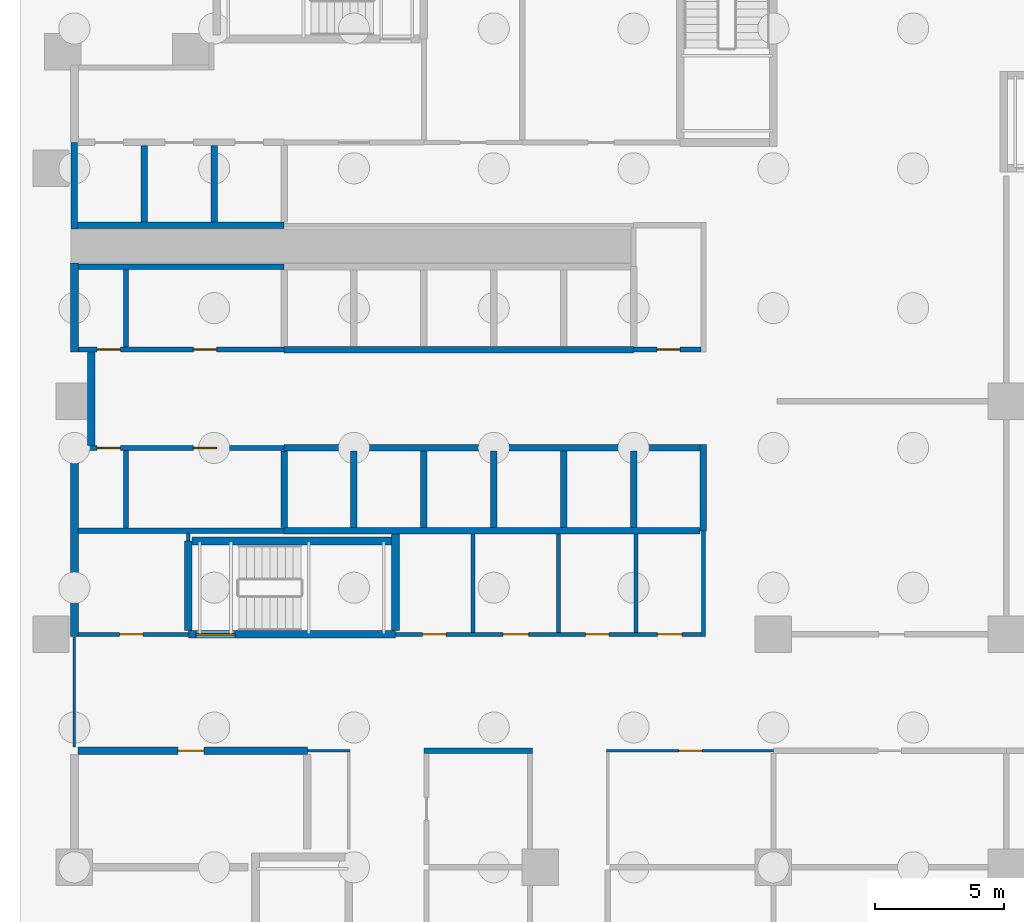
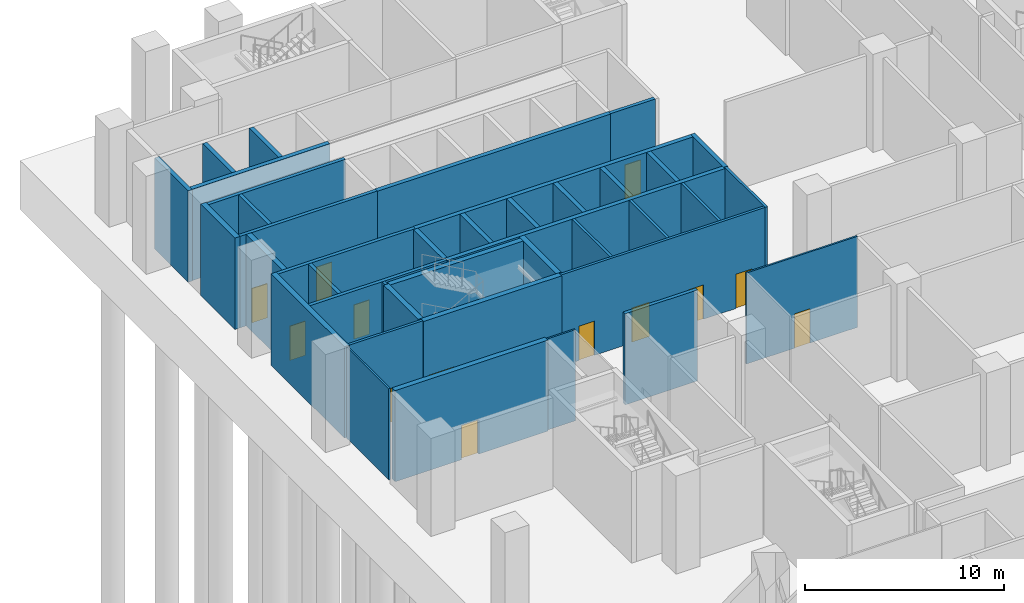
# One storey, part 4 of 12: 40 walls, 13 doors, 13 openings.
"""IFC4 building model written with IfcOpenShell, lengths in metres."""

from ifc_helpers import new_model, si_unit, direction, frame, frame_2d, origin, place, context, subcontext, project, spatial, rectangle, extrude, material, layer, layer_set, type_object, element, fill, save


model = new_model("IFC4")

# Units and contexts
model_context = context("Model", 3, precision=1e-05, world=origin(), true_north=direction((0.0, 1.0)))
body_context = subcontext(model_context, "Body", "Model", "MODEL_VIEW")
ifc_project = project(units=[si_unit("LENGTHUNIT", "METRE"), si_unit("AREAUNIT", "SQUARE_METRE"), si_unit("VOLUMEUNIT", "CUBIC_METRE"), si_unit("PLANEANGLEUNIT", "RADIAN"), si_unit("MASSUNIT", "GRAM", prefix="KILO")], contexts=[model_context])

# Site, building, storey
site_placement = place(None, origin())
site = spatial("IfcSite", under=ifc_project, at=site_placement, CompositionType="ELEMENT")
building_placement = place(site_placement, origin())
building = spatial("IfcBuilding", under=site, at=building_placement, Name="Brondeck Convention Tower", CompositionType="ELEMENT")
storey_placement = place(building_placement, frame((0.0, 0.0, -6.0)))
storey = spatial("IfcBuildingStorey", under=building, at=storey_placement, Name="B1", CompositionType="ELEMENT", Elevation=-6.0)

# Wall, opening, door
ifc_material_1 = material(Name="Concrete compartment wall C30/37", Category="concrete")
ifc_layer_1 = layer(ifc_material_1, 0.300048828125)
ifc_layer_set_1 = layer_set([ifc_layer_1], Name="Compartment wall 300")
wall_type_1 = type_object("IfcWallType", Name="Compartment wall 300", PredefinedType="PARTITIONING", material=ifc_layer_set_1)
wall_1_placement = place(storey_placement, frame((9.0, 31.5, 0.0), z_axis=(0.0, 0.0, 1.0), x_axis=(-1.0, 0.0, 0.0)))
wall_1 = element("IfcWall", 1, at=wall_1_placement, inside=storey, type_object=wall_type_1, Name="FLR-B1-W059", PredefinedType="PARTITIONING", context=body_context, shape_type="SweptSolid", body=[
    extrude(rectangle(XDim=8.85009765625, YDim=0.300048828125, at=frame_2d((4.425048828125, 0.0))), origin(), (0.0, 0.0, 1.0), 5.580078125),
])
opening_1_placement = place(wall_1_placement, frame((4.0, 0.0, 0.0)))
opening_1 = element("IfcOpeningElement", 2, at=opening_1_placement, cuts=wall_1, Name="Opening P-B1-013", PredefinedType="OPENING", context=body_context, shape_type="SweptSolid", body=[
    extrude(rectangle(XDim=1.0, YDim=2.10009765625, at=frame_2d((0.5, 1.050048828125))), frame((0.0, 0.159912109375, 0.0), z_axis=(0.0, -1.0, 0.0), x_axis=(1.0, 0.0, 0.0)), (0.0, 0.0, 1.0), 0.320068359375),
])
ifc_material_2 = material(Name="Steel fire door leaf", Category="steel")
door_type_1 = type_object("IfcDoorType", Name="Plant room door 1000", OperationType="NOTDEFINED", PredefinedType="DOOR", material=ifc_material_2)
door_1_placement = place(opening_1_placement, origin())
door_1 = element("IfcDoor", 3, at=door_1_placement, inside=storey, type_object=door_type_1, Name="Door P-B1-013", OperationType="SINGLE_SWING_RIGHT", OverallHeight=2.10009765625, OverallWidth=1.0, PredefinedType="DOOR", context=body_context, shape_type="SweptSolid", body=[
    extrude(rectangle(XDim=1.0, YDim=2.10009765625, at=frame_2d((0.5, 1.050048828125))), frame((0.0, 0.02490234375, 0.0), z_axis=(0.0, -1.0, 0.0), x_axis=(1.0, 0.0, 0.0)), (0.0, 0.0, 1.0), 0.050048828125),
])
fill(opening_1, door_1)

# Wall, openings, doors
ifc_material_3 = material(Name="Concrete C80/95", Category="concrete")
ifc_layer_2 = layer(ifc_material_3, 0.14990234375)
ifc_layer_set_2 = layer_set([ifc_layer_2], Name="Core beam-seat wall 150 Concrete C80/95")
wall_type_2 = type_object("IfcWallType", Name="Core beam-seat wall 150 Concrete C80/95", PredefinedType="SHEAR", material=ifc_layer_set_2)
wall_2_placement = place(storey_placement, frame((12.39990234375, 36.0, 0.0), z_axis=(0.0, 0.0, 1.0), x_axis=(1.0, 0.0, 0.0)))
wall_2 = element("IfcWall", 4, at=wall_2_placement, inside=storey, type_object=wall_type_2, Name="B1 core wall", PredefinedType="SHEAR", context=body_context, shape_type="SweptSolid", body=[
    extrude(rectangle(XDim=11.8251953125, YDim=0.14990234375, at=frame_2d((5.91259765625, 0.0))), origin(), (0.0, 0.0, 1.0), 5.60009765625),
])
opening_2_placement = place(wall_2_placement, frame((1.050048828125, 0.0, 0.0)))
opening_2 = element("IfcOpeningElement", 5, at=opening_2_placement, cuts=wall_2, Name="Opening C01-03", PredefinedType="OPENING", context=body_context, shape_type="SweptSolid", body=[
    extrude(rectangle(XDim=0.89990234375, YDim=2.10009765625, at=frame_2d((0.449951171875, 1.050048828125))), frame((0.0, 0.0849609375, 0.0), z_axis=(0.0, -1.0, 0.0), x_axis=(1.0, 0.0, 0.0)), (0.0, 0.0, 1.0), 0.169921875),
])
opening_3_placement = place(wall_2_placement, frame((4.14990234375, 0.0, 0.0)))
opening_3 = element("IfcOpeningElement", 6, at=opening_3_placement, cuts=wall_2, Name="Opening C01-04", PredefinedType="OPENING", context=body_context, shape_type="SweptSolid", body=[
    extrude(rectangle(XDim=1.0, YDim=2.10009765625, at=frame_2d((0.5, 1.050048828125))), frame((0.0, 0.0849609375, 0.0), z_axis=(0.0, -1.0, 0.0), x_axis=(1.0, 0.0, 0.0)), (0.0, 0.0, 1.0), 0.169921875),
])
opening_4_placement = place(wall_2_placement, frame((7.35009765625, 0.0, 0.0)))
opening_4 = element("IfcOpeningElement", 7, at=opening_4_placement, cuts=wall_2, Name="Opening C01-05", PredefinedType="OPENING", context=body_context, shape_type="SweptSolid", body=[
    extrude(rectangle(XDim=0.89990234375, YDim=2.10009765625, at=frame_2d((0.449951171875, 1.050048828125))), frame((0.0, 0.0849609375, 0.0), z_axis=(0.0, -1.0, 0.0), x_axis=(1.0, 0.0, 0.0)), (0.0, 0.0, 1.0), 0.169921875),
])
opening_5_placement = place(wall_2_placement, frame((10.125, 0.0, 0.0)))
opening_5 = element("IfcOpeningElement", 8, at=opening_5_placement, cuts=wall_2, Name="Opening C01-06", PredefinedType="OPENING", context=body_context, shape_type="SweptSolid", body=[
    extrude(rectangle(XDim=0.949951171875, YDim=2.10009765625, at=frame_2d((0.47509765625, 1.050048828125))), frame((0.0, 0.0849609375, 0.0), z_axis=(0.0, -1.0, 0.0), x_axis=(1.0, 0.0, 0.0)), (0.0, 0.0, 1.0), 0.169921875),
])
ifc_material_4 = material(Name="Steel fire door", Category="steel")
door_type_2 = type_object("IfcDoorType", Name="Room door 1000x2100 EI 60", OperationType="NOTDEFINED", PredefinedType="DOOR", material=ifc_material_4)
door_2_placement = place(opening_3_placement, origin())
door_2 = element("IfcDoor", 9, at=door_2_placement, inside=storey, type_object=door_type_2, Name="B1 Room door FR-2", OperationType="SINGLE_SWING_LEFT", OverallHeight=2.10009765625, OverallWidth=1.0, PredefinedType="DOOR", context=body_context, shape_type="SweptSolid", body=[
    extrude(rectangle(XDim=1.0, YDim=2.10009765625, at=frame_2d((0.5, 1.050048828125))), frame((0.0, 0.02490234375, 0.0), z_axis=(0.0, -1.0, 0.0), x_axis=(1.0, 0.0, 0.0)), (0.0, 0.0, 1.0), 0.050048828125),
])
fill(opening_3, door_2)
door_type_3 = type_object("IfcDoorType", Name="Room door 900x2100 EI 60", OperationType="NOTDEFINED", PredefinedType="DOOR", material=ifc_material_4)
door_3_placement = place(opening_2_placement, origin())
door_3 = element("IfcDoor", 10, at=door_3_placement, inside=storey, type_object=door_type_3, Name="B1 Room door FR-1", OperationType="SINGLE_SWING_RIGHT", OverallHeight=2.10009765625, OverallWidth=0.89990234375, PredefinedType="DOOR", context=body_context, shape_type="SweptSolid", body=[
    extrude(rectangle(XDim=0.89990234375, YDim=2.10009765625, at=frame_2d((0.449951171875, 1.050048828125))), frame((0.0, 0.02490234375, 0.0), z_axis=(0.0, -1.0, 0.0), x_axis=(1.0, 0.0, 0.0)), (0.0, 0.0, 1.0), 0.050048828125),
])
fill(opening_2, door_3)
door_4_placement = place(opening_4_placement, origin())
door_4 = element("IfcDoor", 11, at=door_4_placement, inside=storey, type_object=door_type_3, Name="B1 Room door FR-3", OperationType="SINGLE_SWING_RIGHT", OverallHeight=2.10009765625, OverallWidth=0.89990234375, PredefinedType="DOOR", context=body_context, shape_type="SweptSolid", body=[
    extrude(rectangle(XDim=0.89990234375, YDim=2.10009765625, at=frame_2d((0.449951171875, 1.050048828125))), frame((0.0, 0.02490234375, 0.0), z_axis=(0.0, -1.0, 0.0), x_axis=(1.0, 0.0, 0.0)), (0.0, 0.0, 1.0), 0.050048828125),
])
fill(opening_4, door_4)
door_type_4 = type_object("IfcDoorType", Name="Room door 950x2100 EI 60", OperationType="NOTDEFINED", PredefinedType="DOOR", material=ifc_material_4)
door_5_placement = place(opening_5_placement, origin())
door_5 = element("IfcDoor", 12, at=door_5_placement, inside=storey, type_object=door_type_4, Name="B1 Room door FR-4", OperationType="SINGLE_SWING_LEFT", OverallHeight=2.10009765625, OverallWidth=0.949951171875, PredefinedType="DOOR", context=body_context, shape_type="SweptSolid", body=[
    extrude(rectangle(XDim=0.949951171875, YDim=2.10009765625, at=frame_2d((0.47509765625, 1.050048828125))), frame((0.0, 0.02490234375, 0.0), z_axis=(0.0, -1.0, 0.0), x_axis=(1.0, 0.0, 0.0)), (0.0, 0.0, 1.0), 0.050048828125),
])
fill(opening_5, door_5)

# Walls
wall_3_placement = place(storey_placement, frame((24.300048828125, 35.925048828125, 0.0), z_axis=(0.0, 0.0, 1.0), x_axis=(0.0, 1.0, 0.0)))
element("IfcWall", 13, at=wall_3_placement, inside=storey, type_object=wall_type_2, Name="B1 core wall", PredefinedType="SHEAR", context=body_context, shape_type="SweptSolid", body=[
    extrude(rectangle(XDim=4.074951171875, YDim=0.14990234375, at=frame_2d((2.03759765625, 0.0))), origin(), (0.0, 0.0, 1.0), 5.60009765625),
])
ifc_layer_3 = layer(ifc_material_3, 0.300048828125)
ifc_layer_set_3 = layer_set([ifc_layer_3], Name="Core outer wall 300 Concrete C80/95")
wall_type_3 = type_object("IfcWallType", Name="Core outer wall 300 Concrete C80/95", PredefinedType="SHEAR", material=ifc_layer_set_3)
wall_4_placement = place(storey_placement, frame((0.0, 35.925048828125, 0.0), z_axis=(0.0, 0.0, 1.0), x_axis=(0.0, 1.0, 0.0)))
element("IfcWall", 14, at=wall_4_placement, inside=storey, type_object=wall_type_3, Name="B1 core wall", PredefinedType="SHEAR", context=body_context, shape_type="SweptSolid", body=[
    extrude(rectangle(XDim=7.375, YDim=0.300048828125, at=frame_2d((3.6875, 0.0))), origin(), (0.0, 0.0, 1.0), 5.60009765625),
])
wall_5_placement = place(storey_placement, frame((0.0, 46.89990234375, 0.0), z_axis=(0.0, 0.0, 1.0), x_axis=(0.0, 1.0, 0.0)))
element("IfcWall", 15, at=wall_5_placement, inside=storey, type_object=wall_type_3, Name="B1 core wall", PredefinedType="SHEAR", context=body_context, shape_type="SweptSolid", body=[
    extrude(rectangle(XDim=3.4501953125, YDim=0.300048828125, at=frame_2d((1.72509765625, 0.0))), origin(), (0.0, 0.0, 1.0), 5.60009765625),
])
wall_6_placement = place(storey_placement, frame((0.64990234375, 43.300048828125, 0.0), z_axis=(0.0, 0.0, 1.0), x_axis=(0.0, 1.0, 0.0)))
element("IfcWall", 16, at=wall_6_placement, inside=storey, type_object=wall_type_3, Name="B1 core wall", PredefinedType="SHEAR", context=body_context, shape_type="SweptSolid", body=[
    extrude(rectangle(XDim=3.599853515625, YDim=0.300048828125, at=frame_2d((1.7998046875, 0.0))), origin(), (0.0, 0.0, 1.0), 5.60009765625),
])

# Wall, opening, door
ifc_material_5 = material(Name="Fire-rated gypsum board partition")
ifc_layer_4 = layer(ifc_material_5, 0.14990234375)
ifc_layer_set_4 = layer_set([ifc_layer_4], Name="Core partition 150 EI 60")
wall_type_4 = type_object("IfcWallType", Name="Core partition 150 EI 60", PredefinedType="PARTITIONING", material=ifc_layer_set_4)
wall_7_placement = place(storey_placement, frame((0.14990234375, 36.0, 0.0), z_axis=(0.0, 0.0, 1.0), x_axis=(1.0, 0.0, 0.0)))
wall_7 = element("IfcWall", 17, at=wall_7_placement, inside=storey, type_object=wall_type_4, Name="B1 core wall", PredefinedType="PARTITIONING", context=body_context, shape_type="SweptSolid", body=[
    extrude(rectangle(XDim=4.25, YDim=0.14990234375, at=frame_2d((2.125, 0.0))), origin(), (0.0, 0.0, 1.0), 5.60009765625),
])
opening_6_placement = place(wall_7_placement, frame((1.60009765625, 0.0, 0.0)))
opening_6 = element("IfcOpeningElement", 18, at=opening_6_placement, cuts=wall_7, Name="Opening C01-07", PredefinedType="OPENING", context=body_context, shape_type="SweptSolid", body=[
    extrude(rectangle(XDim=0.89990234375, YDim=2.10009765625, at=frame_2d((0.449951171875, 1.050048828125))), frame((0.0, 0.0849609375, 0.0), z_axis=(0.0, -1.0, 0.0), x_axis=(1.0, 0.0, 0.0)), (0.0, 0.0, 1.0), 0.169921875),
])
door_6_placement = place(opening_6_placement, origin())
door_6 = element("IfcDoor", 19, at=door_6_placement, inside=storey, type_object=door_type_3, Name="B1 Room door FRW-1", OperationType="SINGLE_SWING_LEFT", OverallHeight=2.10009765625, OverallWidth=0.89990234375, PredefinedType="DOOR", context=body_context, shape_type="SweptSolid", body=[
    extrude(rectangle(XDim=0.89990234375, YDim=2.10009765625, at=frame_2d((0.449951171875, 1.050048828125))), frame((0.0, 0.02490234375, 0.0), z_axis=(0.0, -1.0, 0.0), x_axis=(1.0, 0.0, 0.0)), (0.0, 0.0, 1.0), 0.050048828125),
])
fill(opening_6, door_6)

# Walls
wall_8_placement = place(storey_placement, frame((4.39990234375, 39.60009765625, 0.0), z_axis=(0.0, 0.0, 1.0), x_axis=(0.0, 1.0, 0.0)))
element("IfcWall", 20, at=wall_8_placement, inside=storey, type_object=wall_type_4, Name="B1 core wall", PredefinedType="PARTITIONING", context=body_context, shape_type="SweptSolid", body=[
    extrude(rectangle(XDim=0.2998046875, YDim=0.14990234375, at=frame_2d((0.14990234375, 0.0))), origin(), (0.0, 0.0, 1.0), 5.60009765625),
])
for number, where, z_axis, x_axis, name in (
    (21, (15.39990234375, 36.074951171875, 0.0), (0.0, 0.0, 1.0), (0.0, 1.0, 0.0), "B1 core wall"),
    (22, (18.699951171875, 36.074951171875, 0.0), (0.0, 0.0, 1.0), (0.0, 1.0, 0.0), "B1 core wall"),
    (23, (21.699951171875, 36.074951171875, 0.0), (0.0, 0.0, 1.0), (0.0, 1.0, 0.0), "B1 core wall"),
):
    element("IfcWall", number, at=place(storey_placement, frame(where, z_axis=z_axis, x_axis=x_axis)), inside=storey, type_object=wall_type_4, Name=name, PredefinedType="PARTITIONING", context=body_context, shape_type="SweptSolid", body=[
        extrude(rectangle(XDim=3.800048828125, YDim=0.14990234375, at=frame_2d((1.89990234375, 0.0))), origin(), (0.0, 0.0, 1.0), 5.60009765625),
    ])
ifc_layer_5 = layer(ifc_material_3, 0.25)
ifc_layer_set_5 = layer_set([ifc_layer_5], Name="Lift shaft wall 250 Concrete C80/95")
wall_type_5 = type_object("IfcWallType", Name="Lift shaft wall 250 Concrete C80/95", PredefinedType="SHEAR", material=ifc_layer_set_5)
for number, where, z_axis, x_axis, name in (
    (24, (8.10009765625, 40.0, 0.0), (0.0, 0.0, 1.0), (1.0, 0.0, 0.0), "B1 core wall"),
    (25, (8.10009765625, 43.199951171875, 0.0), (0.0, 0.0, 1.0), (1.0, 0.0, 0.0), "B1 core wall"),
):
    element("IfcWall", number, at=place(storey_placement, frame(where, z_axis=z_axis, x_axis=x_axis)), inside=storey, type_object=wall_type_5, Name=name, PredefinedType="SHEAR", context=body_context, shape_type="SweptSolid", body=[
        extrude(rectangle(XDim=16.074951171875, YDim=0.25, at=frame_2d((8.03759765625, 0.0))), origin(), (0.0, 0.0, 1.0), 5.60009765625),
    ])
wall_9_placement = place(storey_placement, frame((8.10009765625, 47.0, 0.0), z_axis=(0.0, 0.0, 1.0), x_axis=(1.0, 0.0, 0.0)))
element("IfcWall", 26, at=wall_9_placement, inside=storey, type_object=wall_type_5, Name="B1 core wall", PredefinedType="SHEAR", context=body_context, shape_type="SweptSolid", body=[
    extrude(rectangle(XDim=13.5, YDim=0.25, at=frame_2d((6.75, 0.0))), origin(), (0.0, 0.0, 1.0), 5.60009765625),
])
wall_10_placement = place(storey_placement, frame((0.125, 51.800048828125, 0.0), z_axis=(0.0, 0.0, 1.0), x_axis=(1.0, 0.0, 0.0)))
element("IfcWall", 27, at=wall_10_placement, inside=storey, type_object=wall_type_5, Name="B1 core wall", PredefinedType="SHEAR", context=body_context, shape_type="SweptSolid", body=[
    extrude(rectangle(XDim=7.97509765625, YDim=0.25, at=frame_2d((3.987548828125, 0.0))), origin(), (0.0, 0.0, 1.0), 5.60009765625),
])
wall_11_placement = place(storey_placement, frame((0.0, 51.64990234375, 0.0), z_axis=(0.0, 0.0, 1.0), x_axis=(0.0, 1.0, 0.0)))
element("IfcWall", 28, at=wall_11_placement, inside=storey, type_object=wall_type_5, Name="B1 core wall", PredefinedType="SHEAR", context=body_context, shape_type="SweptSolid", body=[
    extrude(rectangle(XDim=3.35009765625, YDim=0.25, at=frame_2d((1.675048828125, 0.0))), origin(), (0.0, 0.0, 1.0), 5.60009765625),
])
for number, where, z_axis, x_axis, name in (
    (29, (2.699951171875, 51.925048828125, 0.0), (0.0, 0.0, 1.0), (0.0, 1.0, 0.0), "B1 core wall"),
    (30, (5.39990234375, 51.925048828125, 0.0), (0.0, 0.0, 1.0), (0.0, 1.0, 0.0), "B1 core wall"),
    (31, (8.10009765625, 40.125, 0.0), (0.0, 0.0, 1.0), (0.0, 1.0, 0.0), "B1 core wall"),
    (32, (10.800048828125, 40.125, 0.0), (0.0, 0.0, 1.0), (0.0, 1.0, 0.0), "B1 core wall"),
    (33, (13.5, 40.125, 0.0), (0.0, 0.0, 1.0), (0.0, 1.0, 0.0), "B1 core wall"),
    (34, (16.199951171875, 40.125, 0.0), (0.0, 0.0, 1.0), (0.0, 1.0, 0.0), "B1 core wall"),
    (35, (18.89990234375, 40.125, 0.0), (0.0, 0.0, 1.0), (0.0, 1.0, 0.0), "B1 core wall"),
    (36, (21.60009765625, 40.125, 0.0), (0.0, 0.0, 1.0), (0.0, 1.0, 0.0), "B1 core wall"),
):
    element("IfcWall", number, at=place(storey_placement, frame(where, z_axis=z_axis, x_axis=x_axis)), inside=storey, type_object=wall_type_5, Name=name, PredefinedType="SHEAR", context=body_context, shape_type="SweptSolid", body=[
        extrude(rectangle(XDim=2.949951171875, YDim=0.25, at=frame_2d((1.47509765625, 0.0))), origin(), (0.0, 0.0, 1.0), 5.60009765625),
    ])
wall_12_placement = place(storey_placement, frame((24.300048828125, 40.0, 0.0), z_axis=(0.0, 0.0, 1.0), x_axis=(0.0, 1.0, 0.0)))
element("IfcWall", 37, at=wall_12_placement, inside=storey, type_object=wall_type_5, Name="B1 core wall", PredefinedType="SHEAR", context=body_context, shape_type="SweptSolid", body=[
    extrude(rectangle(XDim=3.324951171875, YDim=0.25, at=frame_2d((1.66259765625, 0.0))), origin(), (0.0, 0.0, 1.0), 5.60009765625),
])
ifc_material_6 = material(Name="Concrete block wall C16/20", Category="concrete")
ifc_layer_6 = layer(ifc_material_6, 0.199951171875)
ifc_layer_set_6 = layer_set([ifc_layer_6], Name="Plant room wall 200")
wall_type_6 = type_object("IfcWallType", Name="Plant room wall 200", PredefinedType="PARTITIONING", material=ifc_layer_set_6)
wall_13_placement = place(storey_placement, frame((17.699951171875, 31.5, 0.0), z_axis=(0.0, 0.0, 1.0), x_axis=(-1.0, 0.0, 0.0)))
element("IfcWall", 38, at=wall_13_placement, inside=storey, type_object=wall_type_6, Name="FLR-B1-W061", PredefinedType="PARTITIONING", context=body_context, shape_type="SweptSolid", body=[
    extrude(rectangle(XDim=4.199951171875, YDim=0.199951171875, at=frame_2d((2.10009765625, 0.0))), origin(), (0.0, 0.0, 1.0), 5.580078125),
])
ifc_layer_7 = layer(ifc_material_5, 0.199951171875)
ifc_layer_set_7 = layer_set([ifc_layer_7], Name="Plant room wall 200 EI 120")
wall_type_7 = type_object("IfcWallType", Name="Plant room wall 200 EI 120", PredefinedType="PARTITIONING", material=ifc_layer_set_7)
wall_14_placement = place(storey_placement, frame((0.14990234375, 40.0, 0.0), z_axis=(0.0, 0.0, 1.0), x_axis=(1.0, 0.0, 0.0)))
element("IfcWall", 39, at=wall_14_placement, inside=storey, type_object=wall_type_7, Name="B1 core wall", PredefinedType="PARTITIONING", context=body_context, shape_type="SweptSolid", body=[
    extrude(rectangle(XDim=7.9501953125, YDim=0.199951171875, at=frame_2d((3.97509765625, 0.0))), origin(), (0.0, 0.0, 1.0), 5.60009765625),
])

# Wall, openings, doors
wall_15_placement = place(storey_placement, frame((0.14990234375, 43.199951171875, 0.0), z_axis=(0.0, 0.0, 1.0), x_axis=(1.0, 0.0, 0.0)))
wall_15 = element("IfcWall", 40, at=wall_15_placement, inside=storey, type_object=wall_type_7, Name="B1 core wall", PredefinedType="PARTITIONING", context=body_context, shape_type="SweptSolid", body=[
    extrude(rectangle(XDim=7.9501953125, YDim=0.199951171875, at=frame_2d((3.97509765625, 0.0))), origin(), (0.0, 0.0, 1.0), 5.60009765625),
])
opening_7_placement = place(wall_15_placement, frame((0.72509765625, 0.0, 0.0)))
opening_7 = element("IfcOpeningElement", 41, at=opening_7_placement, cuts=wall_15, Name="Opening C01-10", PredefinedType="OPENING", context=body_context, shape_type="SweptSolid", body=[
    extrude(rectangle(XDim=0.89990234375, YDim=2.10009765625, at=frame_2d((0.449951171875, 1.050048828125))), frame((0.0, 0.10986328125, 0.0), z_axis=(0.0, -1.0, 0.0), x_axis=(1.0, 0.0, 0.0)), (0.0, 0.0, 1.0), 0.219970703125),
])
opening_8_placement = place(wall_15_placement, frame((4.449951171875, 0.0, 0.0)))
opening_8 = element("IfcOpeningElement", 42, at=opening_8_placement, cuts=wall_15, Name="Opening C01-11", PredefinedType="OPENING", context=body_context, shape_type="SweptSolid", body=[
    extrude(rectangle(XDim=0.89990234375, YDim=2.10009765625, at=frame_2d((0.449951171875, 1.050048828125))), frame((0.0, 0.10986328125, 0.0), z_axis=(0.0, -1.0, 0.0), x_axis=(1.0, 0.0, 0.0)), (0.0, 0.0, 1.0), 0.219970703125),
])
door_type_5 = type_object("IfcDoorType", Name="Room door 900x2100 EI 120", OperationType="NOTDEFINED", PredefinedType="DOOR", material=ifc_material_4)
door_7_placement = place(opening_7_placement, origin())
door_7 = element("IfcDoor", 43, at=door_7_placement, inside=storey, type_object=door_type_5, Name="B1 Room door FZ-S-0-1", OperationType="SINGLE_SWING_LEFT", OverallHeight=2.10009765625, OverallWidth=0.89990234375, PredefinedType="DOOR", context=body_context, shape_type="SweptSolid", body=[
    extrude(rectangle(XDim=0.89990234375, YDim=2.10009765625, at=frame_2d((0.449951171875, 1.050048828125))), frame((0.0, 0.02490234375, 0.0), z_axis=(0.0, -1.0, 0.0), x_axis=(1.0, 0.0, 0.0)), (0.0, 0.0, 1.0), 0.050048828125),
])
fill(opening_7, door_7)
door_8_placement = place(opening_8_placement, origin())
door_8 = element("IfcDoor", 44, at=door_8_placement, inside=storey, type_object=door_type_5, Name="B1 Room door FZ-S-0-2", OperationType="SINGLE_SWING_RIGHT", OverallHeight=2.10009765625, OverallWidth=0.89990234375, PredefinedType="DOOR", context=body_context, shape_type="SweptSolid", body=[
    extrude(rectangle(XDim=0.89990234375, YDim=2.10009765625, at=frame_2d((0.449951171875, 1.050048828125))), frame((0.0, 0.02490234375, 0.0), z_axis=(0.0, -1.0, 0.0), x_axis=(1.0, 0.0, 0.0)), (0.0, 0.0, 1.0), 0.050048828125),
])
fill(opening_8, door_8)

wall_16_placement = place(storey_placement, frame((0.14990234375, 47.0, 0.0), z_axis=(0.0, 0.0, 1.0), x_axis=(1.0, 0.0, 0.0)))
wall_16 = element("IfcWall", 45, at=wall_16_placement, inside=storey, type_object=wall_type_7, Name="B1 core wall", PredefinedType="PARTITIONING", context=body_context, shape_type="SweptSolid", body=[
    extrude(rectangle(XDim=7.9501953125, YDim=0.199951171875, at=frame_2d((3.97509765625, 0.0))), origin(), (0.0, 0.0, 1.0), 5.60009765625),
])
opening_9_placement = place(wall_16_placement, frame((0.72509765625, 0.0, 0.0)))
opening_9 = element("IfcOpeningElement", 46, at=opening_9_placement, cuts=wall_16, Name="Opening C01-08", PredefinedType="OPENING", context=body_context, shape_type="SweptSolid", body=[
    extrude(rectangle(XDim=0.89990234375, YDim=2.10009765625, at=frame_2d((0.449951171875, 1.050048828125))), frame((0.0, 0.10986328125, 0.0), z_axis=(0.0, -1.0, 0.0), x_axis=(1.0, 0.0, 0.0)), (0.0, 0.0, 1.0), 0.219970703125),
])
opening_10_placement = place(wall_16_placement, frame((4.449951171875, 0.0, 0.0)))
opening_10 = element("IfcOpeningElement", 47, at=opening_10_placement, cuts=wall_16, Name="Opening C01-09", PredefinedType="OPENING", context=body_context, shape_type="SweptSolid", body=[
    extrude(rectangle(XDim=0.89990234375, YDim=2.10009765625, at=frame_2d((0.449951171875, 1.050048828125))), frame((0.0, 0.10986328125, 0.0), z_axis=(0.0, -1.0, 0.0), x_axis=(1.0, 0.0, 0.0)), (0.0, 0.0, 1.0), 0.219970703125),
])
door_9_placement = place(opening_9_placement, origin())
door_9 = element("IfcDoor", 48, at=door_9_placement, inside=storey, type_object=door_type_5, Name="B1 Room door FZ-N-0-1", OperationType="SINGLE_SWING_RIGHT", OverallHeight=2.10009765625, OverallWidth=0.89990234375, PredefinedType="DOOR", context=body_context, shape_type="SweptSolid", body=[
    extrude(rectangle(XDim=0.89990234375, YDim=2.10009765625, at=frame_2d((0.449951171875, 1.050048828125))), frame((0.0, 0.02490234375, 0.0), z_axis=(0.0, -1.0, 0.0), x_axis=(1.0, 0.0, 0.0)), (0.0, 0.0, 1.0), 0.050048828125),
])
fill(opening_9, door_9)
door_10_placement = place(opening_10_placement, origin())
door_10 = element("IfcDoor", 49, at=door_10_placement, inside=storey, type_object=door_type_5, Name="B1 Room door FZ-N-0-2", OperationType="SINGLE_SWING_LEFT", OverallHeight=2.10009765625, OverallWidth=0.89990234375, PredefinedType="DOOR", context=body_context, shape_type="SweptSolid", body=[
    extrude(rectangle(XDim=0.89990234375, YDim=2.10009765625, at=frame_2d((0.449951171875, 1.050048828125))), frame((0.0, 0.02490234375, 0.0), z_axis=(0.0, -1.0, 0.0), x_axis=(1.0, 0.0, 0.0)), (0.0, 0.0, 1.0), 0.050048828125),
])
fill(opening_10, door_10)

# Walls
wall_17_placement = place(storey_placement, frame((0.14990234375, 50.199951171875, 0.0), z_axis=(0.0, 0.0, 1.0), x_axis=(1.0, 0.0, 0.0)))
element("IfcWall", 50, at=wall_17_placement, inside=storey, type_object=wall_type_7, Name="B1 core wall", PredefinedType="PARTITIONING", context=body_context, shape_type="SweptSolid", body=[
    extrude(rectangle(XDim=7.9501953125, YDim=0.199951171875, at=frame_2d((3.97509765625, 0.0))), origin(), (0.0, 0.0, 1.0), 5.60009765625),
])
for number, where, z_axis, x_axis, name in (
    (51, (2.0, 40.10009765625, 0.0), (0.0, 0.0, 1.0), (0.0, 1.0, 0.0), "B1 core wall"),
    (52, (2.0, 47.10009765625, 0.0), (0.0, 0.0, 1.0), (0.0, 1.0, 0.0), "B1 core wall"),
):
    element("IfcWall", number, at=place(storey_placement, frame(where, z_axis=z_axis, x_axis=x_axis)), inside=storey, type_object=wall_type_7, Name=name, PredefinedType="PARTITIONING", context=body_context, shape_type="SweptSolid", body=[
        extrude(rectangle(XDim=3.0, YDim=0.199951171875, at=frame_2d((1.5, 0.0))), origin(), (0.0, 0.0, 1.0), 5.60009765625),
    ])

# Wall, opening, door
ifc_layer_8 = layer(ifc_material_5, 0.199951171875)
ifc_layer_set_8 = layer_set([ifc_layer_8], Name="Riser wall 200 EI 120")
wall_type_8 = type_object("IfcWallType", Name="Riser wall 200 EI 120", PredefinedType="PARTITIONING", material=ifc_layer_set_8)
wall_18_placement = place(storey_placement, frame((21.60009765625, 47.0, 0.0), z_axis=(0.0, 0.0, 1.0), x_axis=(1.0, 0.0, 0.0)))
wall_18 = element("IfcWall", 53, at=wall_18_placement, inside=storey, type_object=wall_type_8, Name="B1 core wall", PredefinedType="PARTITIONING", context=body_context, shape_type="SweptSolid", body=[
    extrude(rectangle(XDim=2.599853515625, YDim=0.199951171875, at=frame_2d((1.2998046875, 0.0))), origin(), (0.0, 0.0, 1.0), 5.60009765625),
])
opening_11_placement = place(wall_18_placement, frame((0.89990234375, 0.0, 0.0)))
opening_11 = element("IfcOpeningElement", 54, at=opening_11_placement, cuts=wall_18, Name="Opening C01-02", PredefinedType="OPENING", context=body_context, shape_type="SweptSolid", body=[
    extrude(rectangle(XDim=0.89990234375, YDim=2.10009765625, at=frame_2d((0.449951171875, 1.050048828125))), frame((0.0, 0.10986328125, 0.0), z_axis=(0.0, -1.0, 0.0), x_axis=(1.0, 0.0, 0.0)), (0.0, 0.0, 1.0), 0.219970703125),
])
door_type_6 = type_object("IfcDoorType", Name="Riser door 900x2100 EI 120", OperationType="NOTDEFINED", PredefinedType="DOOR", material=ifc_material_4)
door_11_placement = place(opening_11_placement, origin())
door_11 = element("IfcDoor", 55, at=door_11_placement, inside=storey, type_object=door_type_6, Name="B1 Riser door EN-1", OperationType="SINGLE_SWING_LEFT", OverallHeight=2.10009765625, OverallWidth=0.89990234375, PredefinedType="DOOR", context=body_context, shape_type="SweptSolid", body=[
    extrude(rectangle(XDim=0.89990234375, YDim=2.10009765625, at=frame_2d((0.449951171875, 1.050048828125))), frame((0.0, 0.02490234375, 0.0), z_axis=(0.0, -1.0, 0.0), x_axis=(1.0, 0.0, 0.0)), (0.0, 0.0, 1.0), 0.050048828125),
])
fill(opening_11, door_11)

# Wall
ifc_material_7 = material(Name="Gypsum board partition on steel studs", Category="steel")
ifc_layer_9 = layer(ifc_material_7, 0.10009765625)
ifc_layer_set_9 = layer_set([ifc_layer_9], Name="Room partition 100")
wall_type_9 = type_object("IfcWallType", Name="Room partition 100", PredefinedType="PARTITIONING", material=ifc_layer_set_9)
wall_19_placement = place(storey_placement, frame((10.64990234375, 31.5, 0.0), z_axis=(0.0, 0.0, 1.0), x_axis=(-1.0, 0.0, 0.0)))
element("IfcWall", 56, at=wall_19_placement, inside=storey, type_object=wall_type_9, Name="FLR-B1-W060", PredefinedType="PARTITIONING", context=body_context, shape_type="SweptSolid", body=[
    extrude(rectangle(XDim=1.64990234375, YDim=0.10009765625, at=frame_2d((0.824951171875, 0.0))), origin(), (0.0, 0.0, 1.0), 5.580078125),
])

# Wall, opening, door
wall_20_placement = place(storey_placement, frame((27.0, 31.5, 0.0), z_axis=(0.0, 0.0, 1.0), x_axis=(-1.0, 0.0, 0.0)))
wall_20 = element("IfcWall", 57, at=wall_20_placement, inside=storey, type_object=wall_type_9, Name="FLR-B1-W062", PredefinedType="PARTITIONING", context=body_context, shape_type="SweptSolid", body=[
    extrude(rectangle(XDim=6.449951171875, YDim=0.10009765625, at=frame_2d((3.22509765625, 0.0))), origin(), (0.0, 0.0, 1.0), 5.580078125),
])
opening_12_placement = place(wall_20_placement, frame((2.75, 0.0, 0.0)))
opening_12 = element("IfcOpeningElement", 58, at=opening_12_placement, cuts=wall_20, Name="Opening P-B1-014", PredefinedType="OPENING", context=body_context, shape_type="SweptSolid", body=[
    extrude(rectangle(XDim=0.89990234375, YDim=2.10009765625, at=frame_2d((0.449951171875, 1.050048828125))), frame((0.0, 0.06005859375, 0.0), z_axis=(0.0, -1.0, 0.0), x_axis=(1.0, 0.0, 0.0)), (0.0, 0.0, 1.0), 0.1201171875),
])
ifc_material_8 = material(Name="Solid timber door leaf", Category="wood")
door_type_7 = type_object("IfcDoorType", Name="Single door 900", OperationType="NOTDEFINED", PredefinedType="DOOR", material=ifc_material_8)
door_12_placement = place(opening_12_placement, origin())
door_12 = element("IfcDoor", 59, at=door_12_placement, inside=storey, type_object=door_type_7, Name="Door P-B1-014", OperationType="SINGLE_SWING_RIGHT", OverallHeight=2.10009765625, OverallWidth=0.89990234375, PredefinedType="DOOR", context=body_context, shape_type="SweptSolid", body=[
    extrude(rectangle(XDim=0.89990234375, YDim=2.10009765625, at=frame_2d((0.449951171875, 1.050048828125))), frame((0.0, 0.02490234375, 0.0), z_axis=(0.0, -1.0, 0.0), x_axis=(1.0, 0.0, 0.0)), (0.0, 0.0, 1.0), 0.050048828125),
])
fill(opening_12, door_12)

# Wall
wall_21_placement = place(storey_placement, frame((0.0, 31.64990234375, 0.0), z_axis=(0.0, 0.0, 1.0), x_axis=(0.0, 1.0, 0.0)))
element("IfcWall", 60, at=wall_21_placement, inside=storey, type_object=wall_type_9, Name="FLR-B1-W068", PredefinedType="PARTITIONING", context=body_context, shape_type="SweptSolid", body=[
    extrude(rectangle(XDim=4.255126953125, YDim=0.10009765625, at=frame_2d((2.12744140625, 0.0))), origin(), (0.0, 0.0, 1.0), 5.580078125),
])

# Wall, opening, door
ifc_layer_10 = layer(ifc_material_3, 0.300048828125)
ifc_layer_set_10 = layer_set([ifc_layer_10], Name="Stair enclosure wall 300 Concrete C80/95")
wall_type_10 = type_object("IfcWallType", Name="Stair enclosure wall 300 Concrete C80/95", PredefinedType="SHEAR", material=ifc_layer_set_10)
wall_22_placement = place(storey_placement, frame((4.39990234375, 36.0, 0.0), z_axis=(0.0, 0.0, 1.0), x_axis=(1.0, 0.0, 0.0)))
wall_22 = element("IfcWall", 61, at=wall_22_placement, inside=storey, type_object=wall_type_10, Name="B1 core wall", PredefinedType="SHEAR", context=body_context, shape_type="SweptSolid", body=[
    extrude(rectangle(XDim=8.0, YDim=0.300048828125, at=frame_2d((4.0, 0.0))), origin(), (0.0, 0.0, 1.0), 5.60009765625),
])
opening_13_placement = place(wall_22_placement, frame((0.300048828125, 0.0, 0.0)))
opening_13 = element("IfcOpeningElement", 62, at=opening_13_placement, cuts=wall_22, Name="Opening C01-16", PredefinedType="OPENING", context=body_context, shape_type="SweptSolid", body=[
    extrude(rectangle(XDim=1.5, YDim=2.199951171875, at=frame_2d((0.75, 1.10009765625))), frame((0.0, 0.159912109375, 0.0), z_axis=(0.0, -1.0, 0.0), x_axis=(1.0, 0.0, 0.0)), (0.0, 0.0, 1.0), 0.320068359375),
])
door_type_8 = type_object("IfcDoorType", Name="Stair door 1500x2200 EI 90", OperationType="NOTDEFINED", PredefinedType="DOOR", material=ifc_material_4)
door_13_placement = place(opening_13_placement, origin())
door_13 = element("IfcDoor", 63, at=door_13_placement, inside=storey, type_object=door_type_8, Name="B1 Stair door ST-1", OperationType="SINGLE_SWING_RIGHT", OverallHeight=2.199951171875, OverallWidth=1.5, PredefinedType="DOOR", context=body_context, shape_type="SweptSolid", body=[
    extrude(rectangle(XDim=1.5, YDim=2.199951171875, at=frame_2d((0.75, 1.10009765625))), frame((0.0, 0.02490234375, 0.0), z_axis=(0.0, -1.0, 0.0), x_axis=(1.0, 0.0, 0.0)), (0.0, 0.0, 1.0), 0.050048828125),
])
fill(opening_13, door_13)

# Walls
wall_23_placement = place(storey_placement, frame((4.550048828125, 39.60009765625, 0.0), z_axis=(0.0, 0.0, 1.0), x_axis=(1.0, 0.0, 0.0)))
element("IfcWall", 64, at=wall_23_placement, inside=storey, type_object=wall_type_10, Name="B1 core wall", PredefinedType="SHEAR", context=body_context, shape_type="SweptSolid", body=[
    extrude(rectangle(XDim=7.699951171875, YDim=0.300048828125, at=frame_2d((3.85009765625, 0.0))), origin(), (0.0, 0.0, 1.0), 5.60009765625),
])
wall_24_placement = place(storey_placement, frame((4.39990234375, 36.14990234375, 0.0), z_axis=(0.0, 0.0, 1.0), x_axis=(0.0, 1.0, 0.0)))
element("IfcWall", 65, at=wall_24_placement, inside=storey, type_object=wall_type_10, Name="B1 core wall", PredefinedType="SHEAR", context=body_context, shape_type="SweptSolid", body=[
    extrude(rectangle(XDim=3.4501953125, YDim=0.300048828125, at=frame_2d((1.72509765625, 0.0))), origin(), (0.0, 0.0, 1.0), 5.60009765625),
])
wall_25_placement = place(storey_placement, frame((12.39990234375, 36.14990234375, 0.0), z_axis=(0.0, 0.0, 1.0), x_axis=(0.0, 1.0, 0.0)))
element("IfcWall", 66, at=wall_25_placement, inside=storey, type_object=wall_type_10, Name="B1 core wall", PredefinedType="SHEAR", context=body_context, shape_type="SweptSolid", body=[
    extrude(rectangle(XDim=3.72509765625, YDim=0.300048828125, at=frame_2d((1.862548828125, 0.0))), origin(), (0.0, 0.0, 1.0), 5.60009765625),
])

save(model, "model.ifc")
